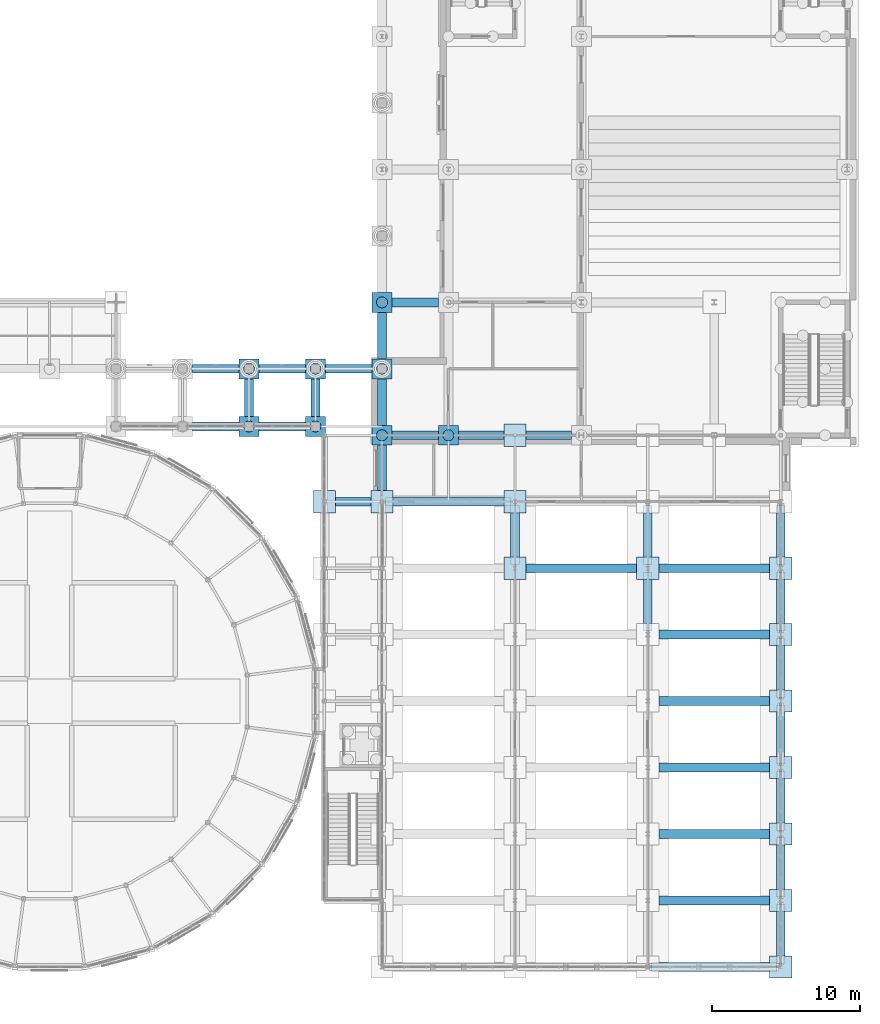
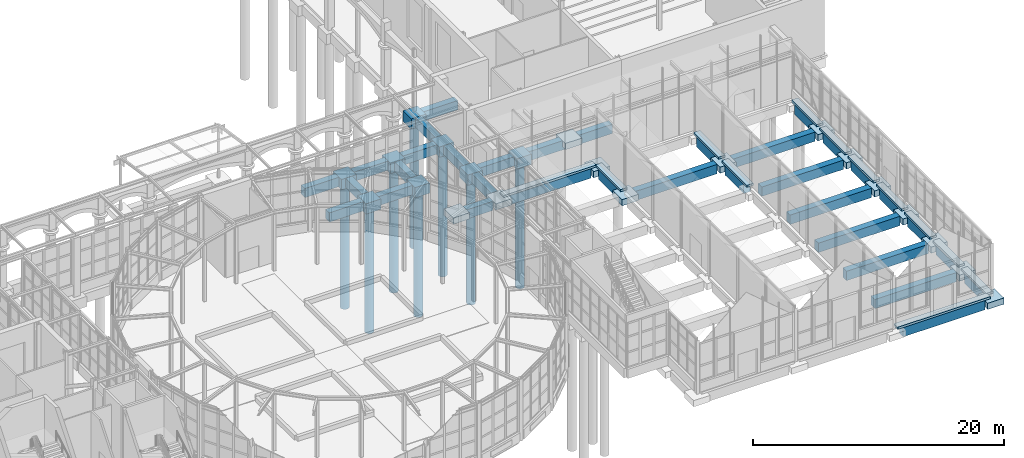
# One storey, part 3 of 106: 66 footings, 8 piles.
"""IFC4 building model written with IfcOpenShell, lengths in metres."""

from ifc_helpers import new_model, si_unit, direction, frame, origin, origin_2d, place, context, subcontext, project, spatial, polyline, circle, outline, extrude, material, material_profile, profile_set, type_object, element, save


model = new_model("IFC4")

# Units and contexts
model_context = context("Model", 3, precision=1e-05, world=origin(), true_north=direction((0.0, 1.0)))
body_context = subcontext(model_context, "Body", "Model", "MODEL_VIEW")
ifc_project = project(units=[si_unit("LENGTHUNIT", "METRE"), si_unit("AREAUNIT", "SQUARE_METRE"), si_unit("VOLUMEUNIT", "CUBIC_METRE"), si_unit("PLANEANGLEUNIT", "RADIAN"), si_unit("MASSUNIT", "GRAM", prefix="KILO")], contexts=[model_context])

# Site, building, storey
site_placement = place(None, origin())
site = spatial("IfcSite", under=ifc_project, at=site_placement, CompositionType="ELEMENT")
building_placement = place(site_placement, origin())
building = spatial("IfcBuilding", under=site, at=building_placement, Name="Hortulan Conservatory and Botanical Research Centre", CompositionType="ELEMENT")
storey_placement = place(building_placement, origin())
storey = spatial("IfcBuildingStorey", under=building, at=storey_placement, Name="L00", CompositionType="ELEMENT", Elevation=0.0)

# Piles
ifc_material = material(Name="Concrete N40 (40 MPa, AS 3600)", Category="concrete")
ifc_material_profile = material_profile(ifc_material, circle(Radius=0.375, at=origin_2d()), Name="Bored pile 750 diameter")
ifc_profile_set = profile_set([ifc_material_profile], Name="Concrete N40 (40 MPa, AS 3600)")
pile_type = type_object("IfcPileType", Name="Bored Pile 750", PredefinedType="BORED", material=ifc_profile_set)
for number, where, z_axis, x_axis, name in (
    (1, (76.5, 36.0, -1.10009765625), (0.0, 0.0, -1.0), (1.0, 0.0, 0.0), "Bored pile 750"),
    (2, (76.5, 45.0, -1.10009765625), (0.0, 0.0, -1.0), (1.0, 0.0, 0.0), "Bored pile 750"),
    (3, (81.0, 36.0, -1.10009765625), (0.0, 0.0, -1.0), (1.0, 0.0, 0.0), "Bored pile 750"),
    (4, (76.5, 40.5, -1.10009765625), (0.0, 0.0, -1.0), (1.0, 0.0, 0.0), "Bored pile 750"),
    (5, (67.5, 40.5, -1.10009765625), (0.0, 0.0, -1.0), (1.0, 0.0, 0.0), "Bored pile 750"),
    (6, (72.0, 40.5, -1.10009765625), (0.0, 0.0, -1.0), (1.0, 0.0, 0.0), "Bored pile 750"),
    (7, (67.5, 36.60009765625, -1.10009765625), (0.0, 0.0, -1.0), (1.0, 0.0, 0.0), "Bored pile 750"),
    (8, (72.0, 36.60009765625, -1.10009765625), (0.0, 0.0, -1.0), (1.0, 0.0, 0.0), "Bored pile 750"),
):
    element("IfcPile", number, at=place(storey_placement, frame(where, z_axis=z_axis, x_axis=x_axis)), inside=storey, type_object=pile_type, Name=name, PredefinedType="BORED", context=body_context, shape_type="SweptSolid", body=[
        extrude(circle(Radius=0.375, at=origin_2d()), origin(), (0.0, 0.0, 1.0), 12.10009765625),
    ])

# Footings
footing_type_1 = type_object("IfcFootingType", Name="Ground Beam 600x900", PredefinedType="FOOTING_BEAM", material=ifc_material)
footing_1_placement = place(storey_placement, frame((0.0, 0.0, -1.10009765625)))
element("IfcFooting", 9, at=footing_1_placement, inside=storey, type_object=footing_type_1, Name="Ground beam", PredefinedType="FOOTING_BEAM", context=body_context, shape_type="SweptSolid", body=[
    extrude(outline(polyline([(102.75, -0.300048828125), (102.75, 0.300048828125), (95.25, 0.300048828125), (95.25, -0.300048828125), (102.75, -0.300048828125)])), origin(), (0.0, 0.0, 1.0), 0.900146484375),
])
footing_2_placement = place(storey_placement, frame((0.0, 0.0, -1.10009765625)))
element("IfcFooting", 10, at=footing_2_placement, inside=storey, type_object=footing_type_1, Name="Ground beam", PredefinedType="FOOTING_BEAM", context=body_context, shape_type="SweptSolid", body=[
    extrude(outline(polyline([(102.75, 4.199951171875), (102.75, 4.800048828125), (95.25, 4.800048828125), (95.25, 4.199951171875), (102.75, 4.199951171875)])), origin(), (0.0, 0.0, 1.0), 0.900146484375),
])
footing_3_placement = place(storey_placement, frame((0.0, 0.0, -1.10009765625)))
element("IfcFooting", 11, at=footing_3_placement, inside=storey, type_object=footing_type_1, Name="Ground beam", PredefinedType="FOOTING_BEAM", context=body_context, shape_type="SweptSolid", body=[
    extrude(outline(polyline([(102.75, 8.699951171875), (102.75, 9.300048828125), (95.25, 9.300048828125), (95.25, 8.699951171875), (102.75, 8.699951171875)])), origin(), (0.0, 0.0, 1.0), 0.900146484375),
])
footing_4_placement = place(storey_placement, frame((0.0, 0.0, -1.10009765625)))
element("IfcFooting", 12, at=footing_4_placement, inside=storey, type_object=footing_type_1, Name="Ground beam", PredefinedType="FOOTING_BEAM", context=body_context, shape_type="SweptSolid", body=[
    extrude(outline(polyline([(102.75, 13.199951171875), (102.75, 13.800048828125), (95.25, 13.800048828125), (95.25, 13.199951171875), (102.75, 13.199951171875)])), origin(), (0.0, 0.0, 1.0), 0.900146484375),
])
footing_5_placement = place(storey_placement, frame((0.0, 0.0, -1.10009765625)))
element("IfcFooting", 13, at=footing_5_placement, inside=storey, type_object=footing_type_1, Name="Ground beam", PredefinedType="FOOTING_BEAM", context=body_context, shape_type="SweptSolid", body=[
    extrude(outline(polyline([(102.75, 17.699951171875), (102.75, 18.300048828125), (95.25, 18.300048828125), (95.25, 17.699951171875), (102.75, 17.699951171875)])), origin(), (0.0, 0.0, 1.0), 0.900146484375),
])
footing_6_placement = place(storey_placement, frame((0.0, 0.0, -1.10009765625)))
element("IfcFooting", 14, at=footing_6_placement, inside=storey, type_object=footing_type_1, Name="Ground beam", PredefinedType="FOOTING_BEAM", context=body_context, shape_type="SweptSolid", body=[
    extrude(outline(polyline([(102.75, 22.199951171875), (102.75, 22.800048828125), (95.25, 22.800048828125), (95.25, 22.199951171875), (102.75, 22.199951171875)])), origin(), (0.0, 0.0, 1.0), 0.900146484375),
])
footing_7_placement = place(storey_placement, frame((0.0, 0.0, -1.10009765625)))
element("IfcFooting", 15, at=footing_7_placement, inside=storey, type_object=footing_type_1, Name="Ground beam", PredefinedType="FOOTING_BEAM", context=body_context, shape_type="SweptSolid", body=[
    extrude(outline(polyline([(93.75, 26.699951171875), (93.75, 27.300048828125), (86.25, 27.300048828125), (86.25, 26.699951171875), (93.75, 26.699951171875)])), origin(), (0.0, 0.0, 1.0), 0.900146484375),
])
footing_8_placement = place(storey_placement, frame((0.0, 0.0, -1.10009765625)))
element("IfcFooting", 16, at=footing_8_placement, inside=storey, type_object=footing_type_1, Name="Ground beam", PredefinedType="FOOTING_BEAM", context=body_context, shape_type="SweptSolid", body=[
    extrude(outline(polyline([(102.75, 26.699951171875), (102.75, 27.300048828125), (95.25, 27.300048828125), (95.25, 26.699951171875), (102.75, 26.699951171875)])), origin(), (0.0, 0.0, 1.0), 0.900146484375),
])
footing_9_placement = place(storey_placement, frame((0.0, 0.0, -1.10009765625)))
element("IfcFooting", 17, at=footing_9_placement, inside=storey, type_object=footing_type_1, Name="Ground beam", PredefinedType="FOOTING_BEAM", context=body_context, shape_type="SweptSolid", body=[
    extrude(outline(polyline([(75.75, 31.199951171875), (75.75, 31.800048828125), (73.35009765625, 31.800048828125), (73.35009765625, 31.199951171875), (75.75, 31.199951171875)])), origin(), (0.0, 0.0, 1.0), 0.900146484375),
])
footing_10_placement = place(storey_placement, frame((0.0, 0.0, -1.10009765625)))
element("IfcFooting", 18, at=footing_10_placement, inside=storey, type_object=footing_type_1, Name="Ground beam", PredefinedType="FOOTING_BEAM", context=body_context, shape_type="SweptSolid", body=[
    extrude(outline(polyline([(84.75, 31.199951171875), (84.75, 31.800048828125), (77.25, 31.800048828125), (77.25, 31.199951171875), (84.75, 31.199951171875)])), origin(), (0.0, 0.0, 1.0), 0.900146484375),
])
footing_11_placement = place(storey_placement, frame((0.0, 0.0, -1.10009765625)))
element("IfcFooting", 19, at=footing_11_placement, inside=storey, type_object=footing_type_1, Name="Ground beam", PredefinedType="FOOTING_BEAM", context=body_context, shape_type="SweptSolid", body=[
    extrude(outline(polyline([(80.324951171875, 35.699951171875), (80.324951171875, 36.300048828125), (77.175048828125, 36.300048828125), (77.175048828125, 35.699951171875), (80.324951171875, 35.699951171875)])), origin(), (0.0, 0.0, 1.0), 0.900146484375),
])
footing_12_placement = place(storey_placement, frame((0.0, 0.0, -1.10009765625)))
element("IfcFooting", 20, at=footing_12_placement, inside=storey, type_object=footing_type_1, Name="Ground beam", PredefinedType="FOOTING_BEAM", context=body_context, shape_type="SweptSolid", body=[
    extrude(outline(polyline([(89.324951171875, 35.699951171875), (89.324951171875, 36.300048828125), (81.675048828125, 36.300048828125), (81.675048828125, 35.699951171875), (89.324951171875, 35.699951171875)])), origin(), (0.0, 0.0, 1.0), 0.900146484375),
])
footing_13_placement = place(storey_placement, frame((0.0, 0.0, -1.10009765625)))
element("IfcFooting", 21, at=footing_13_placement, inside=storey, type_object=footing_type_1, Name="Ground beam", PredefinedType="FOOTING_BEAM", context=body_context, shape_type="SweptSolid", body=[
    extrude(outline(polyline([(66.824951171875, 36.300048828125), (66.824951171875, 36.89990234375), (63.675048828125, 36.89990234375), (63.675048828125, 36.300048828125), (66.824951171875, 36.300048828125)])), origin(), (0.0, 0.0, 1.0), 0.900146484375),
])
footing_14_placement = place(storey_placement, frame((0.0, 0.0, -1.10009765625)))
element("IfcFooting", 22, at=footing_14_placement, inside=storey, type_object=footing_type_1, Name="Ground beam", PredefinedType="FOOTING_BEAM", context=body_context, shape_type="SweptSolid", body=[
    extrude(outline(polyline([(71.324951171875, 36.300048828125), (71.324951171875, 36.89990234375), (68.175048828125, 36.89990234375), (68.175048828125, 36.300048828125), (71.324951171875, 36.300048828125)])), origin(), (0.0, 0.0, 1.0), 0.900146484375),
])
footing_15_placement = place(storey_placement, frame((0.0, 0.0, -1.10009765625)))
element("IfcFooting", 23, at=footing_15_placement, inside=storey, type_object=footing_type_1, Name="Ground beam", PredefinedType="FOOTING_BEAM", context=body_context, shape_type="SweptSolid", body=[
    extrude(outline(polyline([(66.824951171875, 40.199951171875), (66.824951171875, 40.800048828125), (63.675048828125, 40.800048828125), (63.675048828125, 40.199951171875), (66.824951171875, 40.199951171875)])), origin(), (0.0, 0.0, 1.0), 0.900146484375),
])
footing_16_placement = place(storey_placement, frame((0.0, 0.0, -1.10009765625)))
element("IfcFooting", 24, at=footing_16_placement, inside=storey, type_object=footing_type_1, Name="Ground beam", PredefinedType="FOOTING_BEAM", context=body_context, shape_type="SweptSolid", body=[
    extrude(outline(polyline([(71.324951171875, 40.199951171875), (71.324951171875, 40.800048828125), (68.175048828125, 40.800048828125), (68.175048828125, 40.199951171875), (71.324951171875, 40.199951171875)])), origin(), (0.0, 0.0, 1.0), 0.900146484375),
])
footing_17_placement = place(storey_placement, frame((0.0, 0.0, -1.10009765625)))
element("IfcFooting", 25, at=footing_17_placement, inside=storey, type_object=footing_type_1, Name="Ground beam", PredefinedType="FOOTING_BEAM", context=body_context, shape_type="SweptSolid", body=[
    extrude(outline(polyline([(75.824951171875, 40.199951171875), (75.824951171875, 40.800048828125), (72.675048828125, 40.800048828125), (72.675048828125, 40.199951171875), (75.824951171875, 40.199951171875)])), origin(), (0.0, 0.0, 1.0), 0.900146484375),
])
footing_18_placement = place(storey_placement, frame((0.0, 0.0, -1.10009765625)))
element("IfcFooting", 26, at=footing_18_placement, inside=storey, type_object=footing_type_1, Name="Ground beam", PredefinedType="FOOTING_BEAM", context=body_context, shape_type="SweptSolid", body=[
    extrude(outline(polyline([(80.324951171875, 44.699951171875), (80.324951171875, 45.300048828125), (77.175048828125, 45.300048828125), (77.175048828125, 44.699951171875), (80.324951171875, 44.699951171875)])), origin(), (0.0, 0.0, 1.0), 0.900146484375),
])
footing_19_placement = place(storey_placement, frame((0.0, 0.0, -1.10009765625)))
element("IfcFooting", 27, at=footing_19_placement, inside=storey, type_object=footing_type_1, Name="Ground beam", PredefinedType="FOOTING_BEAM", context=body_context, shape_type="SweptSolid", body=[
    extrude(outline(polyline([(67.800048828125, 37.27490234375), (67.800048828125, 39.824951171875), (67.199951171875, 39.824951171875), (67.199951171875, 37.27490234375), (67.800048828125, 37.27490234375)])), origin(), (0.0, 0.0, 1.0), 0.900146484375),
])
footing_20_placement = place(storey_placement, frame((0.0, 0.0, -1.10009765625)))
element("IfcFooting", 28, at=footing_20_placement, inside=storey, type_object=footing_type_1, Name="Ground beam", PredefinedType="FOOTING_BEAM", context=body_context, shape_type="SweptSolid", body=[
    extrude(outline(polyline([(72.300048828125, 37.27490234375), (72.300048828125, 39.824951171875), (71.699951171875, 39.824951171875), (71.699951171875, 37.27490234375), (72.300048828125, 37.27490234375)])), origin(), (0.0, 0.0, 1.0), 0.900146484375),
])
footing_21_placement = place(storey_placement, frame((0.0, 0.0, -1.10009765625)))
element("IfcFooting", 29, at=footing_21_placement, inside=storey, type_object=footing_type_1, Name="Ground beam", PredefinedType="FOOTING_BEAM", context=body_context, shape_type="SweptSolid", body=[
    extrude(outline(polyline([(76.800048828125, 32.25), (76.800048828125, 35.324951171875), (76.199951171875, 35.324951171875), (76.199951171875, 32.25), (76.800048828125, 32.25)])), origin(), (0.0, 0.0, 1.0), 0.900146484375),
])
footing_22_placement = place(storey_placement, frame((0.0, 0.0, -1.10009765625)))
element("IfcFooting", 30, at=footing_22_placement, inside=storey, type_object=footing_type_1, Name="Ground beam", PredefinedType="FOOTING_BEAM", context=body_context, shape_type="SweptSolid", body=[
    extrude(outline(polyline([(76.800048828125, 36.675048828125), (76.800048828125, 39.824951171875), (76.199951171875, 39.824951171875), (76.199951171875, 36.675048828125), (76.800048828125, 36.675048828125)])), origin(), (0.0, 0.0, 1.0), 0.900146484375),
])
footing_23_placement = place(storey_placement, frame((0.0, 0.0, -1.10009765625)))
element("IfcFooting", 31, at=footing_23_placement, inside=storey, type_object=footing_type_1, Name="Ground beam", PredefinedType="FOOTING_BEAM", context=body_context, shape_type="SweptSolid", body=[
    extrude(outline(polyline([(76.800048828125, 41.175048828125), (76.800048828125, 44.324951171875), (76.199951171875, 44.324951171875), (76.199951171875, 41.175048828125), (76.800048828125, 41.175048828125)])), origin(), (0.0, 0.0, 1.0), 0.900146484375),
])
footing_24_placement = place(storey_placement, frame((0.0, 0.0, -1.10009765625)))
element("IfcFooting", 32, at=footing_24_placement, inside=storey, type_object=footing_type_1, Name="Ground beam", PredefinedType="FOOTING_BEAM", context=body_context, shape_type="SweptSolid", body=[
    extrude(outline(polyline([(85.800048828125, 27.75), (85.800048828125, 30.75), (85.199951171875, 30.75), (85.199951171875, 27.75), (85.800048828125, 27.75)])), origin(), (0.0, 0.0, 1.0), 0.900146484375),
])
footing_25_placement = place(storey_placement, frame((0.0, 0.0, -1.10009765625)))
element("IfcFooting", 33, at=footing_25_placement, inside=storey, type_object=footing_type_1, Name="Ground beam", PredefinedType="FOOTING_BEAM", context=body_context, shape_type="SweptSolid", body=[
    extrude(outline(polyline([(94.800048828125, 23.25), (94.800048828125, 26.25), (94.199951171875, 26.25), (94.199951171875, 23.25), (94.800048828125, 23.25)])), origin(), (0.0, 0.0, 1.0), 0.900146484375),
])
footing_26_placement = place(storey_placement, frame((0.0, 0.0, -1.10009765625)))
element("IfcFooting", 34, at=footing_26_placement, inside=storey, type_object=footing_type_1, Name="Ground beam", PredefinedType="FOOTING_BEAM", context=body_context, shape_type="SweptSolid", body=[
    extrude(outline(polyline([(94.800048828125, 27.75), (94.800048828125, 30.75), (94.199951171875, 30.75), (94.199951171875, 27.75), (94.800048828125, 27.75)])), origin(), (0.0, 0.0, 1.0), 0.900146484375),
])
footing_27_placement = place(storey_placement, frame((0.0, 0.0, -1.10009765625)))
element("IfcFooting", 35, at=footing_27_placement, inside=storey, type_object=footing_type_1, Name="Ground beam", PredefinedType="FOOTING_BEAM", context=body_context, shape_type="SweptSolid", body=[
    extrude(outline(polyline([(103.800048828125, 0.75), (103.800048828125, 3.75), (103.199951171875, 3.75), (103.199951171875, 0.75), (103.800048828125, 0.75)])), origin(), (0.0, 0.0, 1.0), 0.900146484375),
])
footing_28_placement = place(storey_placement, frame((0.0, 0.0, -1.10009765625)))
element("IfcFooting", 36, at=footing_28_placement, inside=storey, type_object=footing_type_1, Name="Ground beam", PredefinedType="FOOTING_BEAM", context=body_context, shape_type="SweptSolid", body=[
    extrude(outline(polyline([(103.800048828125, 5.25), (103.800048828125, 8.25), (103.199951171875, 8.25), (103.199951171875, 5.25), (103.800048828125, 5.25)])), origin(), (0.0, 0.0, 1.0), 0.900146484375),
])
footing_29_placement = place(storey_placement, frame((0.0, 0.0, -1.10009765625)))
element("IfcFooting", 37, at=footing_29_placement, inside=storey, type_object=footing_type_1, Name="Ground beam", PredefinedType="FOOTING_BEAM", context=body_context, shape_type="SweptSolid", body=[
    extrude(outline(polyline([(103.800048828125, 9.75), (103.800048828125, 12.75), (103.199951171875, 12.75), (103.199951171875, 9.75), (103.800048828125, 9.75)])), origin(), (0.0, 0.0, 1.0), 0.900146484375),
])
footing_30_placement = place(storey_placement, frame((0.0, 0.0, -1.10009765625)))
element("IfcFooting", 38, at=footing_30_placement, inside=storey, type_object=footing_type_1, Name="Ground beam", PredefinedType="FOOTING_BEAM", context=body_context, shape_type="SweptSolid", body=[
    extrude(outline(polyline([(103.800048828125, 14.25), (103.800048828125, 17.25), (103.199951171875, 17.25), (103.199951171875, 14.25), (103.800048828125, 14.25)])), origin(), (0.0, 0.0, 1.0), 0.900146484375),
])
footing_31_placement = place(storey_placement, frame((0.0, 0.0, -1.10009765625)))
element("IfcFooting", 39, at=footing_31_placement, inside=storey, type_object=footing_type_1, Name="Ground beam", PredefinedType="FOOTING_BEAM", context=body_context, shape_type="SweptSolid", body=[
    extrude(outline(polyline([(103.800048828125, 18.75), (103.800048828125, 21.75), (103.199951171875, 21.75), (103.199951171875, 18.75), (103.800048828125, 18.75)])), origin(), (0.0, 0.0, 1.0), 0.900146484375),
])
footing_32_placement = place(storey_placement, frame((0.0, 0.0, -1.10009765625)))
element("IfcFooting", 40, at=footing_32_placement, inside=storey, type_object=footing_type_1, Name="Ground beam", PredefinedType="FOOTING_BEAM", context=body_context, shape_type="SweptSolid", body=[
    extrude(outline(polyline([(103.800048828125, 23.25), (103.800048828125, 26.25), (103.199951171875, 26.25), (103.199951171875, 23.25), (103.800048828125, 23.25)])), origin(), (0.0, 0.0, 1.0), 0.900146484375),
])
footing_33_placement = place(storey_placement, frame((0.0, 0.0, -1.10009765625)))
element("IfcFooting", 41, at=footing_33_placement, inside=storey, type_object=footing_type_1, Name="Ground beam", PredefinedType="FOOTING_BEAM", context=body_context, shape_type="SweptSolid", body=[
    extrude(outline(polyline([(103.800048828125, 27.75), (103.800048828125, 30.75), (103.199951171875, 30.75), (103.199951171875, 27.75), (103.800048828125, 27.75)])), origin(), (0.0, 0.0, 1.0), 0.900146484375),
])
footing_type_2 = type_object("IfcFootingType", Name="Pad Footing 1500x1500x600", PredefinedType="PAD_FOOTING", material=ifc_material)
footing_34_placement = place(storey_placement, frame((0.0, 0.0, -0.800048828125)))
element("IfcFooting", 42, at=footing_34_placement, inside=storey, type_object=footing_type_2, Name="Pad footing", PredefinedType="PAD_FOOTING", context=body_context, shape_type="SweptSolid", body=[
    extrude(outline(polyline([(77.25, 30.75), (77.25, 32.25), (75.75, 32.25), (75.75, 30.75), (77.25, 30.75)])), origin(), (0.0, 0.0, 1.0), 0.60009765625),
])
footing_35_placement = place(storey_placement, frame((0.0, 0.0, -0.800048828125)))
element("IfcFooting", 43, at=footing_35_placement, inside=storey, type_object=footing_type_2, Name="Pad footing", PredefinedType="PAD_FOOTING", context=body_context, shape_type="SweptSolid", body=[
    extrude(outline(polyline([(86.25, 26.25), (86.25, 27.75), (84.75, 27.75), (84.75, 26.25), (86.25, 26.25)])), origin(), (0.0, 0.0, 1.0), 0.60009765625),
])
footing_36_placement = place(storey_placement, frame((0.0, 0.0, -0.800048828125)))
element("IfcFooting", 44, at=footing_36_placement, inside=storey, type_object=footing_type_2, Name="Pad footing", PredefinedType="PAD_FOOTING", context=body_context, shape_type="SweptSolid", body=[
    extrude(outline(polyline([(86.25, 30.75), (86.25, 32.25), (84.75, 32.25), (84.75, 30.75), (86.25, 30.75)])), origin(), (0.0, 0.0, 1.0), 0.60009765625),
])
footing_37_placement = place(storey_placement, frame((0.0, 0.0, -0.800048828125)))
element("IfcFooting", 45, at=footing_37_placement, inside=storey, type_object=footing_type_2, Name="Pad footing", PredefinedType="PAD_FOOTING", context=body_context, shape_type="SweptSolid", body=[
    extrude(outline(polyline([(95.25, 26.25), (95.25, 27.75), (93.75, 27.75), (93.75, 26.25), (95.25, 26.25)])), origin(), (0.0, 0.0, 1.0), 0.60009765625),
])
footing_38_placement = place(storey_placement, frame((0.0, 0.0, -0.800048828125)))
element("IfcFooting", 46, at=footing_38_placement, inside=storey, type_object=footing_type_2, Name="Pad footing", PredefinedType="PAD_FOOTING", context=body_context, shape_type="SweptSolid", body=[
    extrude(outline(polyline([(104.25, -0.75), (104.25, 0.75), (102.75, 0.75), (102.75, -0.75), (104.25, -0.75)])), origin(), (0.0, 0.0, 1.0), 0.60009765625),
])
footing_39_placement = place(storey_placement, frame((0.0, 0.0, -0.800048828125)))
element("IfcFooting", 47, at=footing_39_placement, inside=storey, type_object=footing_type_2, Name="Pad footing", PredefinedType="PAD_FOOTING", context=body_context, shape_type="SweptSolid", body=[
    extrude(outline(polyline([(104.25, 3.75), (104.25, 5.25), (102.75, 5.25), (102.75, 3.75), (104.25, 3.75)])), origin(), (0.0, 0.0, 1.0), 0.60009765625),
])
footing_40_placement = place(storey_placement, frame((0.0, 0.0, -0.800048828125)))
element("IfcFooting", 48, at=footing_40_placement, inside=storey, type_object=footing_type_2, Name="Pad footing", PredefinedType="PAD_FOOTING", context=body_context, shape_type="SweptSolid", body=[
    extrude(outline(polyline([(104.25, 8.25), (104.25, 9.75), (102.75, 9.75), (102.75, 8.25), (104.25, 8.25)])), origin(), (0.0, 0.0, 1.0), 0.60009765625),
])
footing_41_placement = place(storey_placement, frame((0.0, 0.0, -0.800048828125)))
element("IfcFooting", 49, at=footing_41_placement, inside=storey, type_object=footing_type_2, Name="Pad footing", PredefinedType="PAD_FOOTING", context=body_context, shape_type="SweptSolid", body=[
    extrude(outline(polyline([(104.25, 12.75), (104.25, 14.25), (102.75, 14.25), (102.75, 12.75), (104.25, 12.75)])), origin(), (0.0, 0.0, 1.0), 0.60009765625),
])
footing_42_placement = place(storey_placement, frame((0.0, 0.0, -0.800048828125)))
element("IfcFooting", 50, at=footing_42_placement, inside=storey, type_object=footing_type_2, Name="Pad footing", PredefinedType="PAD_FOOTING", context=body_context, shape_type="SweptSolid", body=[
    extrude(outline(polyline([(104.25, 17.25), (104.25, 18.75), (102.75, 18.75), (102.75, 17.25), (104.25, 17.25)])), origin(), (0.0, 0.0, 1.0), 0.60009765625),
])
footing_43_placement = place(storey_placement, frame((0.0, 0.0, -0.800048828125)))
element("IfcFooting", 51, at=footing_43_placement, inside=storey, type_object=footing_type_2, Name="Pad footing", PredefinedType="PAD_FOOTING", context=body_context, shape_type="SweptSolid", body=[
    extrude(outline(polyline([(104.25, 21.75), (104.25, 23.25), (102.75, 23.25), (102.75, 21.75), (104.25, 21.75)])), origin(), (0.0, 0.0, 1.0), 0.60009765625),
])
footing_44_placement = place(storey_placement, frame((0.0, 0.0, -0.800048828125)))
element("IfcFooting", 52, at=footing_44_placement, inside=storey, type_object=footing_type_2, Name="Pad footing", PredefinedType="PAD_FOOTING", context=body_context, shape_type="SweptSolid", body=[
    extrude(outline(polyline([(104.25, 26.25), (104.25, 27.75), (102.75, 27.75), (102.75, 26.25), (104.25, 26.25)])), origin(), (0.0, 0.0, 1.0), 0.60009765625),
])
footing_45_placement = place(storey_placement, frame((0.0, 0.0, -0.800048828125)))
element("IfcFooting", 53, at=footing_45_placement, inside=storey, type_object=footing_type_2, Name="Pad footing", PredefinedType="PAD_FOOTING", context=body_context, shape_type="SweptSolid", body=[
    extrude(outline(polyline([(73.35009765625, 30.75), (73.35009765625, 32.25), (71.85009765625, 32.25), (71.85009765625, 30.75), (73.35009765625, 30.75)])), origin(), (0.0, 0.0, 1.0), 0.60009765625),
])
footing_46_placement = place(storey_placement, frame((0.0, 0.0, -0.800048828125)))
element("IfcFooting", 54, at=footing_46_placement, inside=storey, type_object=footing_type_2, Name="Pad footing", PredefinedType="PAD_FOOTING", context=body_context, shape_type="SweptSolid", body=[
    extrude(outline(polyline([(84.75, 35.25), (86.25, 35.25), (86.25, 36.75), (84.75, 36.75), (84.75, 35.25)])), origin(), (0.0, 0.0, 1.0), 0.60009765625),
])
footing_type_3 = type_object("IfcFootingType", Name="Pile Cap 1350x1350x1000", PredefinedType="PILE_CAP", material=ifc_material)
footing_47_placement = place(storey_placement, frame((0.0, 0.0, -1.199951171875)))
element("IfcFooting", 55, at=footing_47_placement, inside=storey, type_object=footing_type_3, Name="Pile cap", PredefinedType="PILE_CAP", context=body_context, shape_type="SweptSolid", body=[
    extrude(outline(polyline([(77.175048828125, 35.324951171875), (77.175048828125, 36.675048828125), (75.824951171875, 36.675048828125), (75.824951171875, 35.324951171875), (77.175048828125, 35.324951171875)])), origin(), (0.0, 0.0, 1.0), 1.0),
])
footing_48_placement = place(storey_placement, frame((0.0, 0.0, -1.199951171875)))
element("IfcFooting", 56, at=footing_48_placement, inside=storey, type_object=footing_type_3, Name="Pile cap", PredefinedType="PILE_CAP", context=body_context, shape_type="SweptSolid", body=[
    extrude(outline(polyline([(77.175048828125, 44.324951171875), (77.175048828125, 45.675048828125), (75.824951171875, 45.675048828125), (75.824951171875, 44.324951171875), (77.175048828125, 44.324951171875)])), origin(), (0.0, 0.0, 1.0), 1.0),
])
footing_49_placement = place(storey_placement, frame((0.0, 0.0, -1.199951171875)))
element("IfcFooting", 57, at=footing_49_placement, inside=storey, type_object=footing_type_3, Name="Pile cap", PredefinedType="PILE_CAP", context=body_context, shape_type="SweptSolid", body=[
    extrude(outline(polyline([(81.675048828125, 35.324951171875), (81.675048828125, 36.675048828125), (80.324951171875, 36.675048828125), (80.324951171875, 35.324951171875), (81.675048828125, 35.324951171875)])), origin(), (0.0, 0.0, 1.0), 1.0),
])
footing_50_placement = place(storey_placement, frame((0.0, 0.0, -1.199951171875)))
element("IfcFooting", 58, at=footing_50_placement, inside=storey, type_object=footing_type_3, Name="Pile cap", PredefinedType="PILE_CAP", context=body_context, shape_type="SweptSolid", body=[
    extrude(outline(polyline([(77.175048828125, 39.824951171875), (77.175048828125, 41.175048828125), (75.824951171875, 41.175048828125), (75.824951171875, 39.824951171875), (77.175048828125, 39.824951171875)])), origin(), (0.0, 0.0, 1.0), 1.0),
])
footing_51_placement = place(storey_placement, frame((0.0, 0.0, -1.199951171875)))
element("IfcFooting", 59, at=footing_51_placement, inside=storey, type_object=footing_type_3, Name="Pile cap", PredefinedType="PILE_CAP", context=body_context, shape_type="SweptSolid", body=[
    extrude(outline(polyline([(68.175048828125, 39.824951171875), (68.175048828125, 41.175048828125), (66.824951171875, 41.175048828125), (66.824951171875, 39.824951171875), (68.175048828125, 39.824951171875)])), origin(), (0.0, 0.0, 1.0), 1.0),
])
footing_52_placement = place(storey_placement, frame((0.0, 0.0, -1.199951171875)))
element("IfcFooting", 60, at=footing_52_placement, inside=storey, type_object=footing_type_3, Name="Pile cap", PredefinedType="PILE_CAP", context=body_context, shape_type="SweptSolid", body=[
    extrude(outline(polyline([(72.675048828125, 39.824951171875), (72.675048828125, 41.175048828125), (71.324951171875, 41.175048828125), (71.324951171875, 39.824951171875), (72.675048828125, 39.824951171875)])), origin(), (0.0, 0.0, 1.0), 1.0),
])
footing_53_placement = place(storey_placement, frame((0.0, 0.0, -1.199951171875)))
element("IfcFooting", 61, at=footing_53_placement, inside=storey, type_object=footing_type_3, Name="Pile cap", PredefinedType="PILE_CAP", context=body_context, shape_type="SweptSolid", body=[
    extrude(outline(polyline([(68.175048828125, 35.925048828125), (68.175048828125, 37.27490234375), (66.824951171875, 37.27490234375), (66.824951171875, 35.925048828125), (68.175048828125, 35.925048828125)])), origin(), (0.0, 0.0, 1.0), 1.0),
])
footing_54_placement = place(storey_placement, frame((0.0, 0.0, -1.199951171875)))
element("IfcFooting", 62, at=footing_54_placement, inside=storey, type_object=footing_type_3, Name="Pile cap", PredefinedType="PILE_CAP", context=body_context, shape_type="SweptSolid", body=[
    extrude(outline(polyline([(72.675048828125, 35.925048828125), (72.675048828125, 37.27490234375), (71.324951171875, 37.27490234375), (71.324951171875, 35.925048828125), (72.675048828125, 35.925048828125)])), origin(), (0.0, 0.0, 1.0), 1.0),
])
footing_type_4 = type_object("IfcFootingType", Name="Strip Footing 600x200", PredefinedType="FOOTING_BEAM", material=ifc_material)
footing_55_placement = place(storey_placement, frame((0.0, 0.0, -0.199951171875)))
element("IfcFooting", 63, at=footing_55_placement, inside=storey, type_object=footing_type_4, Name="Gable strip footing", PredefinedType="FOOTING_BEAM", context=body_context, shape_type="SweptSolid", body=[
    extrude(outline(polyline([(103.25, -0.300048828125), (103.25, 0.300048828125), (94.75, 0.300048828125), (94.75, -0.300048828125), (103.25, -0.300048828125)])), origin(), (0.0, 0.0, 1.0), 0.199951171875),
])
footing_56_placement = place(storey_placement, frame((0.0, 0.0, -0.199951171875)))
element("IfcFooting", 64, at=footing_56_placement, inside=storey, type_object=footing_type_4, Name="Gable strip footing", PredefinedType="FOOTING_BEAM", context=body_context, shape_type="SweptSolid", body=[
    extrude(outline(polyline([(85.25, 31.199951171875), (85.25, 31.800048828125), (76.75, 31.800048828125), (76.75, 31.199951171875), (85.25, 31.199951171875)])), origin(), (0.0, 0.0, 1.0), 0.199951171875),
])
footing_57_placement = place(storey_placement, frame((0.0, 0.0, -0.199951171875)))
element("IfcFooting", 65, at=footing_57_placement, inside=storey, type_object=footing_type_4, Name="Partition strip footing", PredefinedType="FOOTING_BEAM", context=body_context, shape_type="SweptSolid", body=[
    extrude(outline(polyline([(85.800048828125, 27.25), (85.800048828125, 31.25), (85.199951171875, 31.25), (85.199951171875, 27.25), (85.800048828125, 27.25)])), origin(), (0.0, 0.0, 1.0), 0.199951171875),
])
footing_58_placement = place(storey_placement, frame((0.0, 0.0, -0.199951171875)))
element("IfcFooting", 66, at=footing_58_placement, inside=storey, type_object=footing_type_4, Name="Partition strip footing", PredefinedType="FOOTING_BEAM", context=body_context, shape_type="SweptSolid", body=[
    extrude(outline(polyline([(94.800048828125, 22.75), (94.800048828125, 26.75), (94.199951171875, 26.75), (94.199951171875, 22.75), (94.800048828125, 22.75)])), origin(), (0.0, 0.0, 1.0), 0.199951171875),
])
footing_59_placement = place(storey_placement, frame((0.0, 0.0, -0.199951171875)))
element("IfcFooting", 67, at=footing_59_placement, inside=storey, type_object=footing_type_4, Name="Partition strip footing", PredefinedType="FOOTING_BEAM", context=body_context, shape_type="SweptSolid", body=[
    extrude(outline(polyline([(94.800048828125, 27.25), (94.800048828125, 31.25), (94.199951171875, 31.25), (94.199951171875, 27.25), (94.800048828125, 27.25)])), origin(), (0.0, 0.0, 1.0), 0.199951171875),
])
footing_60_placement = place(storey_placement, frame((0.0, 0.0, -0.199951171875)))
element("IfcFooting", 68, at=footing_60_placement, inside=storey, type_object=footing_type_4, Name="East wall strip footing", PredefinedType="FOOTING_BEAM", context=body_context, shape_type="SweptSolid", body=[
    extrude(outline(polyline([(103.800048828125, 0.25), (103.800048828125, 4.25), (103.199951171875, 4.25), (103.199951171875, 0.25), (103.800048828125, 0.25)])), origin(), (0.0, 0.0, 1.0), 0.199951171875),
])
footing_61_placement = place(storey_placement, frame((0.0, 0.0, -0.199951171875)))
element("IfcFooting", 69, at=footing_61_placement, inside=storey, type_object=footing_type_4, Name="East wall strip footing", PredefinedType="FOOTING_BEAM", context=body_context, shape_type="SweptSolid", body=[
    extrude(outline(polyline([(103.800048828125, 4.75), (103.800048828125, 8.75), (103.199951171875, 8.75), (103.199951171875, 4.75), (103.800048828125, 4.75)])), origin(), (0.0, 0.0, 1.0), 0.199951171875),
])
footing_62_placement = place(storey_placement, frame((0.0, 0.0, -0.199951171875)))
element("IfcFooting", 70, at=footing_62_placement, inside=storey, type_object=footing_type_4, Name="East wall strip footing", PredefinedType="FOOTING_BEAM", context=body_context, shape_type="SweptSolid", body=[
    extrude(outline(polyline([(103.800048828125, 9.25), (103.800048828125, 13.25), (103.199951171875, 13.25), (103.199951171875, 9.25), (103.800048828125, 9.25)])), origin(), (0.0, 0.0, 1.0), 0.199951171875),
])
footing_63_placement = place(storey_placement, frame((0.0, 0.0, -0.199951171875)))
element("IfcFooting", 71, at=footing_63_placement, inside=storey, type_object=footing_type_4, Name="East wall strip footing", PredefinedType="FOOTING_BEAM", context=body_context, shape_type="SweptSolid", body=[
    extrude(outline(polyline([(103.800048828125, 13.75), (103.800048828125, 17.75), (103.199951171875, 17.75), (103.199951171875, 13.75), (103.800048828125, 13.75)])), origin(), (0.0, 0.0, 1.0), 0.199951171875),
])
footing_64_placement = place(storey_placement, frame((0.0, 0.0, -0.199951171875)))
element("IfcFooting", 72, at=footing_64_placement, inside=storey, type_object=footing_type_4, Name="East wall strip footing", PredefinedType="FOOTING_BEAM", context=body_context, shape_type="SweptSolid", body=[
    extrude(outline(polyline([(103.800048828125, 18.25), (103.800048828125, 22.25), (103.199951171875, 22.25), (103.199951171875, 18.25), (103.800048828125, 18.25)])), origin(), (0.0, 0.0, 1.0), 0.199951171875),
])
footing_65_placement = place(storey_placement, frame((0.0, 0.0, -0.199951171875)))
element("IfcFooting", 73, at=footing_65_placement, inside=storey, type_object=footing_type_4, Name="East wall strip footing", PredefinedType="FOOTING_BEAM", context=body_context, shape_type="SweptSolid", body=[
    extrude(outline(polyline([(103.800048828125, 22.75), (103.800048828125, 26.75), (103.199951171875, 26.75), (103.199951171875, 22.75), (103.800048828125, 22.75)])), origin(), (0.0, 0.0, 1.0), 0.199951171875),
])
footing_66_placement = place(storey_placement, frame((0.0, 0.0, -0.199951171875)))
element("IfcFooting", 74, at=footing_66_placement, inside=storey, type_object=footing_type_4, Name="East wall strip footing", PredefinedType="FOOTING_BEAM", context=body_context, shape_type="SweptSolid", body=[
    extrude(outline(polyline([(103.800048828125, 27.25), (103.800048828125, 31.25), (103.199951171875, 31.25), (103.199951171875, 27.25), (103.800048828125, 27.25)])), origin(), (0.0, 0.0, 1.0), 0.199951171875),
])

save(model, "model.ifc")
